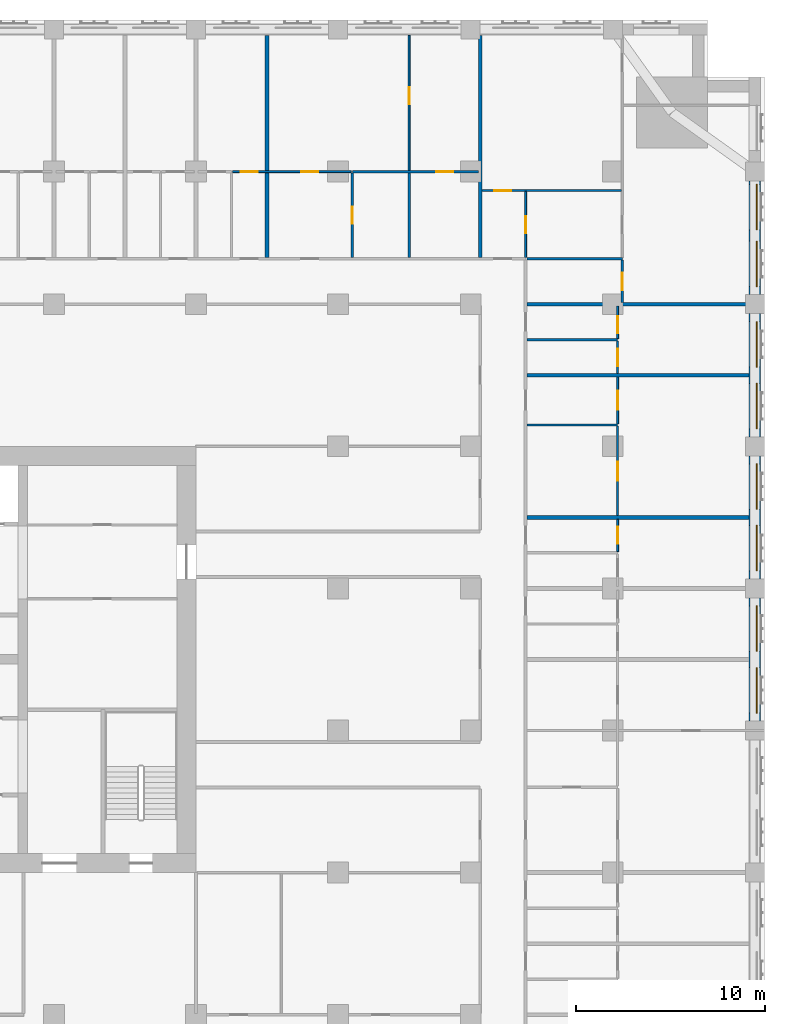
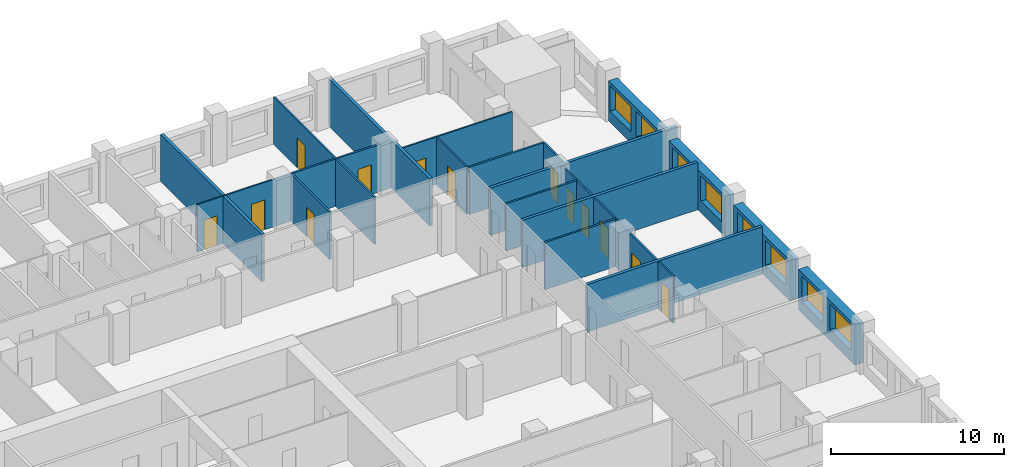
# One storey, part 11 of 15: 25 walls, 13 doors, 8 windows, 21 openings.
"""IFC4 building model written with IfcOpenShell, lengths in metres."""

from ifc_helpers import new_model, si_unit, direction, frame, frame_2d, origin, place, context, subcontext, project, spatial, rectangle, extrude, material, layer, layer_set, type_object, element, fill, save


model = new_model("IFC4")

# Units and contexts
model_context = context("Model", 3, precision=1e-05, world=origin(), true_north=direction((0.0, 1.0)))
body_context = subcontext(model_context, "Body", "Model", "MODEL_VIEW")
ifc_project = project(units=[si_unit("LENGTHUNIT", "METRE"), si_unit("AREAUNIT", "SQUARE_METRE"), si_unit("VOLUMEUNIT", "CUBIC_METRE"), si_unit("PLANEANGLEUNIT", "RADIAN"), si_unit("MASSUNIT", "GRAM", prefix="KILO")], contexts=[model_context])

# Site, building, storey
site_placement = place(None, origin())
site = spatial("IfcSite", under=ifc_project, at=site_placement, CompositionType="ELEMENT")
building_placement = place(site_placement, origin())
building = spatial("IfcBuilding", under=site, at=building_placement, Name="Tamorin Gate", CompositionType="ELEMENT")
storey_placement = place(building_placement, frame((0.0, 0.0, 111.5)))
storey = spatial("IfcBuildingStorey", under=building, at=storey_placement, Name="L27", CompositionType="ELEMENT", Elevation=111.5)

# Wall, openings, windows
ifc_material_1 = material(Name="Precast concrete C40/50", Category="concrete")
ifc_layer_1 = layer(ifc_material_1, 0.60009765625)
ifc_layer_set_1 = layer_set([ifc_layer_1], Name="Precast concrete C40/50")
wall_type_1 = type_object("IfcWallType", Name="Board-marked concrete facade panel 600", PredefinedType="SOLIDWALL", material=ifc_layer_set_1)
wall_1_placement = place(storey_placement, frame((89.5, 68.0, 0.0), z_axis=(0.0, 0.0, 1.0), x_axis=(0.0, 1.0, 0.0)))
wall_1 = element("IfcWall", 1, at=wall_1_placement, inside=storey, type_object=wall_type_1, Name="Facade panel", PredefinedType="SOLIDWALL", context=body_context, shape_type="SweptSolid", body=[
    extrude(rectangle(XDim=6.5, YDim=0.60009765625, at=frame_2d((3.25, 0.0))), origin(), (0.0, 0.0, 1.0), 2.85009765625),
])
opening_1_placement = place(wall_1_placement, frame((0.425048828125, 0.0, 0.800048828125)))
opening_1 = element("IfcOpeningElement", 2, at=opening_1_placement, cuts=wall_1, Name="Opening WN1", PredefinedType="OPENING", context=body_context, shape_type="SweptSolid", body=[
    extrude(rectangle(XDim=2.39990234375, YDim=1.800048828125, at=frame_2d((1.199951171875, 0.89990234375))), frame((0.0, 0.31005859375, 0.0), z_axis=(0.0, -1.0, 0.0), x_axis=(1.0, 0.0, 0.0)), (0.0, 0.0, 1.0), 0.6201171875),
])
opening_2_placement = place(wall_1_placement, frame((3.675048828125, 0.0, 0.800048828125)))
opening_2 = element("IfcOpeningElement", 3, at=opening_2_placement, cuts=wall_1, Name="Opening WN1", PredefinedType="OPENING", context=body_context, shape_type="SweptSolid", body=[
    extrude(rectangle(XDim=2.39990234375, YDim=1.800048828125, at=frame_2d((1.199951171875, 0.89990234375))), frame((0.0, 0.31005859375, 0.0), z_axis=(0.0, -1.0, 0.0), x_axis=(1.0, 0.0, 0.0)), (0.0, 0.0, 1.0), 0.6201171875),
])
ifc_material_2 = material(Name="Clear glass in aluminium frame", Category="aluminium")
window_type = type_object("IfcWindowType", Name="Deep-set window 2400x1800", PartitioningType="SINGLE_PANEL", PredefinedType="WINDOW", material=ifc_material_2)
window_1_placement = place(opening_1_placement, origin())
window_1 = element("IfcWindow", 4, at=window_1_placement, inside=storey, type_object=window_type, Name="Deep-set window", OverallHeight=1.800048828125, OverallWidth=2.39990234375, PartitioningType="SINGLE_PANEL", PredefinedType="WINDOW", context=body_context, shape_type="SweptSolid", body=[
    extrude(rectangle(XDim=2.39990234375, YDim=1.800048828125, at=frame_2d((1.199951171875, 0.89990234375))), frame((0.0, -0.070068359375, 0.0), z_axis=(0.0, -1.0, 0.0), x_axis=(1.0, 0.0, 0.0)), (0.0, 0.0, 1.0), 0.06005859375),
])
fill(opening_1, window_1)
window_2_placement = place(opening_2_placement, origin())
window_2 = element("IfcWindow", 5, at=window_2_placement, inside=storey, type_object=window_type, Name="Deep-set window", OverallHeight=1.800048828125, OverallWidth=2.39990234375, PartitioningType="SINGLE_PANEL", PredefinedType="WINDOW", context=body_context, shape_type="SweptSolid", body=[
    extrude(rectangle(XDim=2.39990234375, YDim=1.800048828125, at=frame_2d((1.199951171875, 0.89990234375))), frame((0.0, -0.070068359375, 0.0), z_axis=(0.0, -1.0, 0.0), x_axis=(1.0, 0.0, 0.0)), (0.0, 0.0, 1.0), 0.06005859375),
])
fill(opening_2, window_2)

wall_2_placement = place(storey_placement, frame((89.5, 75.5, 0.0), z_axis=(0.0, 0.0, 1.0), x_axis=(0.0, 1.0, 0.0)))
wall_2 = element("IfcWall", 6, at=wall_2_placement, inside=storey, type_object=wall_type_1, Name="Facade panel", PredefinedType="SOLIDWALL", context=body_context, shape_type="SweptSolid", body=[
    extrude(rectangle(XDim=6.5, YDim=0.60009765625, at=frame_2d((3.25, 0.0))), origin(), (0.0, 0.0, 1.0), 2.85009765625),
])
opening_3_placement = place(wall_2_placement, frame((0.425048828125, 0.0, 0.800048828125)))
opening_3 = element("IfcOpeningElement", 7, at=opening_3_placement, cuts=wall_2, Name="Opening WN1", PredefinedType="OPENING", context=body_context, shape_type="SweptSolid", body=[
    extrude(rectangle(XDim=2.39990234375, YDim=1.800048828125, at=frame_2d((1.199951171875, 0.89990234375))), frame((0.0, 0.31005859375, 0.0), z_axis=(0.0, -1.0, 0.0), x_axis=(1.0, 0.0, 0.0)), (0.0, 0.0, 1.0), 0.6201171875),
])
opening_4_placement = place(wall_2_placement, frame((3.675048828125, 0.0, 0.800048828125)))
opening_4 = element("IfcOpeningElement", 8, at=opening_4_placement, cuts=wall_2, Name="Opening WN1", PredefinedType="OPENING", context=body_context, shape_type="SweptSolid", body=[
    extrude(rectangle(XDim=2.39990234375, YDim=1.800048828125, at=frame_2d((1.199951171875, 0.89990234375))), frame((0.0, 0.31005859375, 0.0), z_axis=(0.0, -1.0, 0.0), x_axis=(1.0, 0.0, 0.0)), (0.0, 0.0, 1.0), 0.6201171875),
])
window_3_placement = place(opening_3_placement, origin())
window_3 = element("IfcWindow", 9, at=window_3_placement, inside=storey, type_object=window_type, Name="Deep-set window", OverallHeight=1.800048828125, OverallWidth=2.39990234375, PartitioningType="SINGLE_PANEL", PredefinedType="WINDOW", context=body_context, shape_type="SweptSolid", body=[
    extrude(rectangle(XDim=2.39990234375, YDim=1.800048828125, at=frame_2d((1.199951171875, 0.89990234375))), frame((0.0, -0.070068359375, 0.0), z_axis=(0.0, -1.0, 0.0), x_axis=(1.0, 0.0, 0.0)), (0.0, 0.0, 1.0), 0.06005859375),
])
fill(opening_3, window_3)
window_4_placement = place(opening_4_placement, origin())
window_4 = element("IfcWindow", 10, at=window_4_placement, inside=storey, type_object=window_type, Name="Deep-set window", OverallHeight=1.800048828125, OverallWidth=2.39990234375, PartitioningType="SINGLE_PANEL", PredefinedType="WINDOW", context=body_context, shape_type="SweptSolid", body=[
    extrude(rectangle(XDim=2.39990234375, YDim=1.800048828125, at=frame_2d((1.199951171875, 0.89990234375))), frame((0.0, -0.070068359375, 0.0), z_axis=(0.0, -1.0, 0.0), x_axis=(1.0, 0.0, 0.0)), (0.0, 0.0, 1.0), 0.06005859375),
])
fill(opening_4, window_4)

wall_3_placement = place(storey_placement, frame((89.5, 83.0, 0.0), z_axis=(0.0, 0.0, 1.0), x_axis=(0.0, 1.0, 0.0)))
wall_3 = element("IfcWall", 11, at=wall_3_placement, inside=storey, type_object=wall_type_1, Name="Facade panel", PredefinedType="SOLIDWALL", context=body_context, shape_type="SweptSolid", body=[
    extrude(rectangle(XDim=6.5, YDim=0.60009765625, at=frame_2d((3.25, 0.0))), origin(), (0.0, 0.0, 1.0), 2.85009765625),
])
opening_5_placement = place(wall_3_placement, frame((0.425048828125, 0.0, 0.800048828125)))
opening_5 = element("IfcOpeningElement", 12, at=opening_5_placement, cuts=wall_3, Name="Opening WN1", PredefinedType="OPENING", context=body_context, shape_type="SweptSolid", body=[
    extrude(rectangle(XDim=2.39990234375, YDim=1.800048828125, at=frame_2d((1.199951171875, 0.89990234375))), frame((0.0, 0.31005859375, 0.0), z_axis=(0.0, -1.0, 0.0), x_axis=(1.0, 0.0, 0.0)), (0.0, 0.0, 1.0), 0.6201171875),
])
opening_6_placement = place(wall_3_placement, frame((3.675048828125, 0.0, 0.800048828125)))
opening_6 = element("IfcOpeningElement", 13, at=opening_6_placement, cuts=wall_3, Name="Opening WN1", PredefinedType="OPENING", context=body_context, shape_type="SweptSolid", body=[
    extrude(rectangle(XDim=2.39990234375, YDim=1.800048828125, at=frame_2d((1.199951171875, 0.89990234375))), frame((0.0, 0.31005859375, 0.0), z_axis=(0.0, -1.0, 0.0), x_axis=(1.0, 0.0, 0.0)), (0.0, 0.0, 1.0), 0.6201171875),
])
window_5_placement = place(opening_5_placement, origin())
window_5 = element("IfcWindow", 14, at=window_5_placement, inside=storey, type_object=window_type, Name="Deep-set window", OverallHeight=1.800048828125, OverallWidth=2.39990234375, PartitioningType="SINGLE_PANEL", PredefinedType="WINDOW", context=body_context, shape_type="SweptSolid", body=[
    extrude(rectangle(XDim=2.39990234375, YDim=1.800048828125, at=frame_2d((1.199951171875, 0.89990234375))), frame((0.0, -0.070068359375, 0.0), z_axis=(0.0, -1.0, 0.0), x_axis=(1.0, 0.0, 0.0)), (0.0, 0.0, 1.0), 0.06005859375),
])
fill(opening_5, window_5)
window_6_placement = place(opening_6_placement, origin())
window_6 = element("IfcWindow", 15, at=window_6_placement, inside=storey, type_object=window_type, Name="Deep-set window", OverallHeight=1.800048828125, OverallWidth=2.39990234375, PartitioningType="SINGLE_PANEL", PredefinedType="WINDOW", context=body_context, shape_type="SweptSolid", body=[
    extrude(rectangle(XDim=2.39990234375, YDim=1.800048828125, at=frame_2d((1.199951171875, 0.89990234375))), frame((0.0, -0.070068359375, 0.0), z_axis=(0.0, -1.0, 0.0), x_axis=(1.0, 0.0, 0.0)), (0.0, 0.0, 1.0), 0.06005859375),
])
fill(opening_6, window_6)

wall_4_placement = place(storey_placement, frame((89.5, 90.5, 0.0), z_axis=(0.0, 0.0, 1.0), x_axis=(0.0, 1.0, 0.0)))
wall_4 = element("IfcWall", 16, at=wall_4_placement, inside=storey, type_object=wall_type_1, Name="Facade panel", PredefinedType="SOLIDWALL", context=body_context, shape_type="SweptSolid", body=[
    extrude(rectangle(XDim=6.0, YDim=0.60009765625, at=frame_2d((3.0, 0.0))), origin(), (0.0, 0.0, 1.0), 2.85009765625),
])
opening_7_placement = place(wall_4_placement, frame((0.425048828125, 0.0, 0.800048828125)))
opening_7 = element("IfcOpeningElement", 17, at=opening_7_placement, cuts=wall_4, Name="Opening WN1", PredefinedType="OPENING", context=body_context, shape_type="SweptSolid", body=[
    extrude(rectangle(XDim=2.39990234375, YDim=1.800048828125, at=frame_2d((1.199951171875, 0.89990234375))), frame((0.0, 0.31005859375, 0.0), z_axis=(0.0, -1.0, 0.0), x_axis=(1.0, 0.0, 0.0)), (0.0, 0.0, 1.0), 0.6201171875),
])
opening_8_placement = place(wall_4_placement, frame((3.425048828125, 0.0, 0.800048828125)))
opening_8 = element("IfcOpeningElement", 18, at=opening_8_placement, cuts=wall_4, Name="Opening WN1", PredefinedType="OPENING", context=body_context, shape_type="SweptSolid", body=[
    extrude(rectangle(XDim=2.39990234375, YDim=1.800048828125, at=frame_2d((1.199951171875, 0.89990234375))), frame((0.0, 0.31005859375, 0.0), z_axis=(0.0, -1.0, 0.0), x_axis=(1.0, 0.0, 0.0)), (0.0, 0.0, 1.0), 0.6201171875),
])
window_7_placement = place(opening_7_placement, origin())
window_7 = element("IfcWindow", 19, at=window_7_placement, inside=storey, type_object=window_type, Name="Deep-set window", OverallHeight=1.800048828125, OverallWidth=2.39990234375, PartitioningType="SINGLE_PANEL", PredefinedType="WINDOW", context=body_context, shape_type="SweptSolid", body=[
    extrude(rectangle(XDim=2.39990234375, YDim=1.800048828125, at=frame_2d((1.199951171875, 0.89990234375))), frame((0.0, -0.070068359375, 0.0), z_axis=(0.0, -1.0, 0.0), x_axis=(1.0, 0.0, 0.0)), (0.0, 0.0, 1.0), 0.06005859375),
])
fill(opening_7, window_7)
window_8_placement = place(opening_8_placement, origin())
window_8 = element("IfcWindow", 20, at=window_8_placement, inside=storey, type_object=window_type, Name="Deep-set window", OverallHeight=1.800048828125, OverallWidth=2.39990234375, PartitioningType="SINGLE_PANEL", PredefinedType="WINDOW", context=body_context, shape_type="SweptSolid", body=[
    extrude(rectangle(XDim=2.39990234375, YDim=1.800048828125, at=frame_2d((1.199951171875, 0.89990234375))), frame((0.0, -0.070068359375, 0.0), z_axis=(0.0, -1.0, 0.0), x_axis=(1.0, 0.0, 0.0)), (0.0, 0.0, 1.0), 0.06005859375),
])
fill(opening_8, window_8)

# Walls
ifc_material_3 = material(Name="Gypsum board partition")
ifc_layer_2 = layer(ifc_material_3, 0.199951171875)
ifc_layer_set_2 = layer_set([ifc_layer_2], Name="Demising wall 200")
wall_type_2 = type_object("IfcWallType", Name="Demising wall 200", PredefinedType="PARTITIONING", material=ifc_layer_set_2)
for number, where, z_axis, x_axis, name in (
    (21, (77.47509765625, 78.75, 0.0), (0.0, 0.0, 1.0), (1.0, 0.0, 0.0), "Demising wall 200"),
    (22, (77.47509765625, 86.25, 0.0), (0.0, 0.0, 1.0), (1.0, 0.0, 0.0), "Demising wall 200"),
):
    element("IfcWall", number, at=place(storey_placement, frame(where, z_axis=z_axis, x_axis=x_axis)), inside=storey, type_object=wall_type_2, Name=name, PredefinedType="PARTITIONING", context=body_context, shape_type="SweptSolid", body=[
        extrude(rectangle(XDim=11.71484375, YDim=0.199951171875, at=frame_2d((5.857421875, 0.0))), origin(), (0.0, 0.0, 1.0), 3.35009765625),
    ])
wall_5_placement = place(storey_placement, frame((77.47509765625, 90.0, 0.0), z_axis=(0.0, 0.0, 1.0), x_axis=(1.0, 0.0, 0.0)))
element("IfcWall", 23, at=wall_5_placement, inside=storey, type_object=wall_type_2, Name="Demising wall 200", PredefinedType="PARTITIONING", context=body_context, shape_type="SweptSolid", body=[
    extrude(rectangle(XDim=12.52490234375, YDim=0.199951171875, at=frame_2d((6.262451171875, 0.0))), origin(), (0.0, 0.0, 1.0), 3.35009765625),
])
for number, where, z_axis, x_axis, name in (
    (24, (63.75, 92.47509765625, 0.0), (0.0, 0.0, 1.0), (0.0, 1.0, 0.0), "Demising wall 200"),
    (25, (75.0, 92.47509765625, 0.0), (0.0, 0.0, 1.0), (0.0, 1.0, 0.0), "Demising wall 200"),
):
    element("IfcWall", number, at=place(storey_placement, frame(where, z_axis=z_axis, x_axis=x_axis)), inside=storey, type_object=wall_type_2, Name=name, PredefinedType="PARTITIONING", context=body_context, shape_type="SweptSolid", body=[
        extrude(rectangle(XDim=11.71484375, YDim=0.199951171875, at=frame_2d((5.857421875, 0.0))), origin(), (0.0, 0.0, 1.0), 3.35009765625),
    ])

# Wall, opening, door
ifc_layer_3 = layer(ifc_material_3, 0.10009765625)
ifc_layer_set_3 = layer_set([ifc_layer_3], Name="Room partition 100")
wall_type_3 = type_object("IfcWallType", Name="Room partition 100", PredefinedType="PARTITIONING", material=ifc_layer_set_3)
wall_6_placement = place(storey_placement, frame((75.10009765625, 96.0, 0.0), z_axis=(0.0, 0.0, 1.0), x_axis=(1.0, 0.0, 0.0)))
wall_6 = element("IfcWall", 26, at=wall_6_placement, inside=storey, type_object=wall_type_3, Name="Room partition 100", PredefinedType="PARTITIONING", context=body_context, shape_type="SweptSolid", body=[
    extrude(rectangle(XDim=7.349853515625, YDim=0.10009765625, at=frame_2d((3.6748046875, 0.0))), origin(), (0.0, 0.0, 1.0), 3.35009765625),
])
opening_9_placement = place(wall_6_placement, frame((0.64990234375, 0.0, 0.0)))
opening_9 = element("IfcOpeningElement", 27, at=opening_9_placement, cuts=wall_6, Name="Opening DH6081", PredefinedType="OPENING", context=body_context, shape_type="SweptSolid", body=[
    extrude(rectangle(XDim=0.89990234375, YDim=2.10009765625, at=frame_2d((0.449951171875, 1.050048828125))), frame((0.0, 0.06005859375, 0.0), z_axis=(0.0, -1.0, 0.0), x_axis=(1.0, 0.0, 0.0)), (0.0, 0.0, 1.0), 0.1201171875),
])
ifc_material_4 = material(Name="Timber door leaf", Category="wood")
door_type_1 = type_object("IfcDoorType", Name="Door 900 x 2100", OperationType="NOTDEFINED", PredefinedType="DOOR", material=ifc_material_4)
door_1_placement = place(opening_9_placement, origin())
door_1 = element("IfcDoor", 28, at=door_1_placement, inside=storey, type_object=door_type_1, Name="Door DH6081", OperationType="SINGLE_SWING_LEFT", OverallHeight=2.10009765625, OverallWidth=0.89990234375, PredefinedType="DOOR", context=body_context, shape_type="SweptSolid", body=[
    extrude(rectangle(XDim=0.89990234375, YDim=2.10009765625, at=frame_2d((0.449951171875, 1.050048828125))), frame((0.0, 0.02490234375, 0.0), z_axis=(0.0, -1.0, 0.0), x_axis=(1.0, 0.0, 0.0)), (0.0, 0.0, 1.0), 0.050048828125),
])
fill(opening_9, door_1)

# Wall, openings, doors
wall_7_placement = place(storey_placement, frame((61.9375, 97.0, 0.0), z_axis=(0.0, 0.0, 1.0), x_axis=(1.0, 0.0, 0.0)))
wall_7 = element("IfcWall", 29, at=wall_7_placement, inside=storey, type_object=wall_type_3, Name="Room partition 100", PredefinedType="PARTITIONING", context=body_context, shape_type="SweptSolid", body=[
    extrude(rectangle(XDim=6.25, YDim=0.10009765625, at=frame_2d((3.125, 0.0))), origin(), (0.0, 0.0, 1.0), 3.35009765625),
])
opening_10_placement = place(wall_7_placement, frame((0.425048828125, 0.0, 0.0)))
opening_10 = element("IfcOpeningElement", 30, at=opening_10_placement, cuts=wall_7, Name="Opening DH6045", PredefinedType="OPENING", context=body_context, shape_type="SweptSolid", body=[
    extrude(rectangle(XDim=0.89990234375, YDim=2.10009765625, at=frame_2d((0.449951171875, 1.050048828125))), frame((0.0, 0.06005859375, 0.0), z_axis=(0.0, -1.0, 0.0), x_axis=(1.0, 0.0, 0.0)), (0.0, 0.0, 1.0), 0.1201171875),
])
opening_11_placement = place(wall_7_placement, frame((3.612548828125, 0.0, 0.0)))
opening_11 = element("IfcOpeningElement", 31, at=opening_11_placement, cuts=wall_7, Name="Opening DH6047", PredefinedType="OPENING", context=body_context, shape_type="SweptSolid", body=[
    extrude(rectangle(XDim=0.89990234375, YDim=2.10009765625, at=frame_2d((0.449951171875, 1.050048828125))), frame((0.0, 0.06005859375, 0.0), z_axis=(0.0, -1.0, 0.0), x_axis=(1.0, 0.0, 0.0)), (0.0, 0.0, 1.0), 0.1201171875),
])
door_2_placement = place(opening_10_placement, origin())
door_2 = element("IfcDoor", 32, at=door_2_placement, inside=storey, type_object=door_type_1, Name="Door DH6045", OperationType="SINGLE_SWING_RIGHT", OverallHeight=2.10009765625, OverallWidth=0.89990234375, PredefinedType="DOOR", context=body_context, shape_type="SweptSolid", body=[
    extrude(rectangle(XDim=0.89990234375, YDim=2.10009765625, at=frame_2d((0.449951171875, 1.050048828125))), frame((0.0, 0.02490234375, 0.0), z_axis=(0.0, -1.0, 0.0), x_axis=(1.0, 0.0, 0.0)), (0.0, 0.0, 1.0), 0.050048828125),
])
fill(opening_10, door_2)
door_3_placement = place(opening_11_placement, origin())
door_3 = element("IfcDoor", 33, at=door_3_placement, inside=storey, type_object=door_type_1, Name="Door DH6047", OperationType="SINGLE_SWING_RIGHT", OverallHeight=2.10009765625, OverallWidth=0.89990234375, PredefinedType="DOOR", context=body_context, shape_type="SweptSolid", body=[
    extrude(rectangle(XDim=0.89990234375, YDim=2.10009765625, at=frame_2d((0.449951171875, 1.050048828125))), frame((0.0, 0.02490234375, 0.0), z_axis=(0.0, -1.0, 0.0), x_axis=(1.0, 0.0, 0.0)), (0.0, 0.0, 1.0), 0.050048828125),
])
fill(opening_11, door_3)

# Wall, opening, door
wall_8_placement = place(storey_placement, frame((71.25, 97.0625, 0.0), z_axis=(0.0, 0.0, 1.0), x_axis=(0.0, 1.0, 0.0)))
wall_8 = element("IfcWall", 34, at=wall_8_placement, inside=storey, type_object=wall_type_3, Name="Room partition 100", PredefinedType="PARTITIONING", context=body_context, shape_type="SweptSolid", body=[
    extrude(rectangle(XDim=7.12744140625, YDim=0.10009765625, at=frame_2d((3.563720703125, 0.0))), origin(), (0.0, 0.0, 1.0), 3.35009765625),
])
opening_12_placement = place(wall_8_placement, frame((3.487548828125, 0.0, 0.0)))
opening_12 = element("IfcOpeningElement", 35, at=opening_12_placement, cuts=wall_8, Name="Opening DH6050", PredefinedType="OPENING", context=body_context, shape_type="SweptSolid", body=[
    extrude(rectangle(XDim=0.89990234375, YDim=2.10009765625, at=frame_2d((0.449951171875, 1.050048828125))), frame((0.0, 0.06005859375, 0.0), z_axis=(0.0, -1.0, 0.0), x_axis=(1.0, 0.0, 0.0)), (0.0, 0.0, 1.0), 0.1201171875),
])
door_4_placement = place(opening_12_placement, origin())
door_4 = element("IfcDoor", 36, at=door_4_placement, inside=storey, type_object=door_type_1, Name="Door DH6050", OperationType="SINGLE_SWING_LEFT", OverallHeight=2.10009765625, OverallWidth=0.89990234375, PredefinedType="DOOR", context=body_context, shape_type="SweptSolid", body=[
    extrude(rectangle(XDim=0.89990234375, YDim=2.10009765625, at=frame_2d((0.449951171875, 1.050048828125))), frame((0.0, 0.02490234375, 0.0), z_axis=(0.0, -1.0, 0.0), x_axis=(1.0, 0.0, 0.0)), (0.0, 0.0, 1.0), 0.050048828125),
])
fill(opening_12, door_4)

wall_9_placement = place(storey_placement, frame((77.39990234375, 92.47509765625, 0.0), z_axis=(0.0, 0.0, 1.0), x_axis=(0.0, 1.0, 0.0)))
wall_9 = element("IfcWall", 37, at=wall_9_placement, inside=storey, type_object=wall_type_3, Name="Room partition 100", PredefinedType="PARTITIONING", context=body_context, shape_type="SweptSolid", body=[
    extrude(rectangle(XDim=3.474853515625, YDim=0.10009765625, at=frame_2d((1.7373046875, 0.0))), origin(), (0.0, 0.0, 1.0), 3.35009765625),
])
opening_13_placement = place(wall_9_placement, frame((1.27490234375, 0.0, 0.0)))
opening_13 = element("IfcOpeningElement", 38, at=opening_13_placement, cuts=wall_9, Name="Opening DH6082", PredefinedType="OPENING", context=body_context, shape_type="SweptSolid", body=[
    extrude(rectangle(XDim=0.89990234375, YDim=2.10009765625, at=frame_2d((0.449951171875, 1.050048828125))), frame((0.0, 0.06005859375, 0.0), z_axis=(0.0, -1.0, 0.0), x_axis=(1.0, 0.0, 0.0)), (0.0, 0.0, 1.0), 0.1201171875),
])
door_5_placement = place(opening_13_placement, origin())
door_5 = element("IfcDoor", 39, at=door_5_placement, inside=storey, type_object=door_type_1, Name="Door DH6082", OperationType="SINGLE_SWING_RIGHT", OverallHeight=2.10009765625, OverallWidth=0.89990234375, PredefinedType="DOOR", context=body_context, shape_type="SweptSolid", body=[
    extrude(rectangle(XDim=0.89990234375, YDim=2.10009765625, at=frame_2d((0.449951171875, 1.050048828125))), frame((0.0, 0.02490234375, 0.0), z_axis=(0.0, -1.0, 0.0), x_axis=(1.0, 0.0, 0.0)), (0.0, 0.0, 1.0), 0.050048828125),
])
fill(opening_13, door_5)

wall_10_placement = place(storey_placement, frame((82.25, 76.9375, 0.0), z_axis=(0.0, 0.0, 1.0), x_axis=(0.0, 1.0, 0.0)))
wall_10 = element("IfcWall", 40, at=wall_10_placement, inside=storey, type_object=wall_type_3, Name="Room partition 100", PredefinedType="PARTITIONING", context=body_context, shape_type="SweptSolid", body=[
    extrude(rectangle(XDim=1.71240234375, YDim=0.10009765625, at=frame_2d((0.856201171875, 0.0))), origin(), (0.0, 0.0, 1.0), 3.35009765625),
])
opening_14_placement = place(wall_10_placement, frame((0.425048828125, 0.0, 0.0)))
opening_14 = element("IfcOpeningElement", 41, at=opening_14_placement, cuts=wall_10, Name="Opening DH6067", PredefinedType="OPENING", context=body_context, shape_type="SweptSolid", body=[
    extrude(rectangle(XDim=0.89990234375, YDim=2.10009765625, at=frame_2d((0.449951171875, 1.050048828125))), frame((0.0, 0.06005859375, 0.0), z_axis=(0.0, -1.0, 0.0), x_axis=(1.0, 0.0, 0.0)), (0.0, 0.0, 1.0), 0.1201171875),
])
door_6_placement = place(opening_14_placement, origin())
door_6 = element("IfcDoor", 42, at=door_6_placement, inside=storey, type_object=door_type_1, Name="Door DH6067", OperationType="SINGLE_SWING_LEFT", OverallHeight=2.10009765625, OverallWidth=0.89990234375, PredefinedType="DOOR", context=body_context, shape_type="SweptSolid", body=[
    extrude(rectangle(XDim=0.89990234375, YDim=2.10009765625, at=frame_2d((0.449951171875, 1.050048828125))), frame((0.0, 0.02490234375, 0.0), z_axis=(0.0, -1.0, 0.0), x_axis=(1.0, 0.0, 0.0)), (0.0, 0.0, 1.0), 0.050048828125),
])
fill(opening_14, door_6)

wall_11_placement = place(storey_placement, frame((82.25, 83.6875, 0.0), z_axis=(0.0, 0.0, 1.0), x_axis=(0.0, 1.0, 0.0)))
wall_11 = element("IfcWall", 43, at=wall_11_placement, inside=storey, type_object=wall_type_3, Name="Room partition 100", PredefinedType="PARTITIONING", context=body_context, shape_type="SweptSolid", body=[
    extrude(rectangle(XDim=2.46240234375, YDim=0.10009765625, at=frame_2d((1.231201171875, 0.0))), origin(), (0.0, 0.0, 1.0), 3.35009765625),
])
opening_15_placement = place(wall_11_placement, frame((0.75, 0.0, 0.0)))
opening_15 = element("IfcOpeningElement", 44, at=opening_15_placement, cuts=wall_11, Name="Opening DH6070", PredefinedType="OPENING", context=body_context, shape_type="SweptSolid", body=[
    extrude(rectangle(XDim=1.0, YDim=2.10009765625, at=frame_2d((0.5, 1.050048828125))), frame((0.0, 0.06005859375, 0.0), z_axis=(0.0, -1.0, 0.0), x_axis=(1.0, 0.0, 0.0)), (0.0, 0.0, 1.0), 0.1201171875),
])
door_type_2 = type_object("IfcDoorType", Name="Door 1000 x 2100", OperationType="NOTDEFINED", PredefinedType="DOOR", material=ifc_material_4)
door_7_placement = place(opening_15_placement, origin())
door_7 = element("IfcDoor", 45, at=door_7_placement, inside=storey, type_object=door_type_2, Name="Door DH6070", OperationType="SINGLE_SWING_LEFT", OverallHeight=2.10009765625, OverallWidth=1.0, PredefinedType="DOOR", context=body_context, shape_type="SweptSolid", body=[
    extrude(rectangle(XDim=1.0, YDim=2.10009765625, at=frame_2d((0.5, 1.050048828125))), frame((0.0, 0.02490234375, 0.0), z_axis=(0.0, -1.0, 0.0), x_axis=(1.0, 0.0, 0.0)), (0.0, 0.0, 1.0), 0.050048828125),
])
fill(opening_15, door_7)

wall_12_placement = place(storey_placement, frame((82.25, 88.1875, 0.0), z_axis=(0.0, 0.0, 1.0), x_axis=(0.0, 1.0, 0.0)))
wall_12 = element("IfcWall", 46, at=wall_12_placement, inside=storey, type_object=wall_type_3, Name="Room partition 100", PredefinedType="PARTITIONING", context=body_context, shape_type="SweptSolid", body=[
    extrude(rectangle(XDim=1.71240234375, YDim=0.10009765625, at=frame_2d((0.856201171875, 0.0))), origin(), (0.0, 0.0, 1.0), 3.35009765625),
])
opening_16_placement = place(wall_12_placement, frame((0.27490234375, 0.0, 0.0)))
opening_16 = element("IfcOpeningElement", 47, at=opening_16_placement, cuts=wall_12, Name="Opening DH6073", PredefinedType="OPENING", context=body_context, shape_type="SweptSolid", body=[
    extrude(rectangle(XDim=0.89990234375, YDim=2.10009765625, at=frame_2d((0.449951171875, 1.050048828125))), frame((0.0, 0.06005859375, 0.0), z_axis=(0.0, -1.0, 0.0), x_axis=(1.0, 0.0, 0.0)), (0.0, 0.0, 1.0), 0.1201171875),
])
door_8_placement = place(opening_16_placement, origin())
door_8 = element("IfcDoor", 48, at=door_8_placement, inside=storey, type_object=door_type_1, Name="Door DH6073", OperationType="SINGLE_SWING_LEFT", OverallHeight=2.10009765625, OverallWidth=0.89990234375, PredefinedType="DOOR", context=body_context, shape_type="SweptSolid", body=[
    extrude(rectangle(XDim=0.89990234375, YDim=2.10009765625, at=frame_2d((0.449951171875, 1.050048828125))), frame((0.0, 0.02490234375, 0.0), z_axis=(0.0, -1.0, 0.0), x_axis=(1.0, 0.0, 0.0)), (0.0, 0.0, 1.0), 0.050048828125),
])
fill(opening_16, door_8)

# Walls
ifc_layer_4 = layer(ifc_material_3, 0.125)
ifc_layer_set_4 = layer_set([ifc_layer_4], Name="Wet wall 125")
wall_type_4 = type_object("IfcWallType", Name="Wet wall 125", PredefinedType="PARTITIONING", material=ifc_layer_set_4)
for number, where, z_axis, x_axis, name in (
    (49, (77.47509765625, 83.625, 0.0), (0.0, 0.0, 1.0), (1.0, 0.0, 0.0), "Wet wall 125"),
    (50, (77.47509765625, 88.125, 0.0), (0.0, 0.0, 1.0), (1.0, 0.0, 0.0), "Wet wall 125"),
):
    element("IfcWall", number, at=place(storey_placement, frame(where, z_axis=z_axis, x_axis=x_axis)), inside=storey, type_object=wall_type_4, Name=name, PredefinedType="PARTITIONING", context=body_context, shape_type="SweptSolid", body=[
        extrude(rectangle(XDim=4.77490234375, YDim=0.125, at=frame_2d((2.387451171875, 0.0))), origin(), (0.0, 0.0, 1.0), 3.35009765625),
    ])
wall_13_placement = place(storey_placement, frame((77.47509765625, 92.39990234375, 0.0), z_axis=(0.0, 0.0, 1.0), x_axis=(1.0, 0.0, 0.0)))
element("IfcWall", 51, at=wall_13_placement, inside=storey, type_object=wall_type_4, Name="Wet wall 125", PredefinedType="PARTITIONING", context=body_context, shape_type="SweptSolid", body=[
    extrude(rectangle(XDim=5.02490234375, YDim=0.125, at=frame_2d((2.512451171875, 0.0))), origin(), (0.0, 0.0, 1.0), 3.35009765625),
])

# Wall, opening, door
wall_14_placement = place(storey_placement, frame((68.25, 97.0, 0.0), z_axis=(0.0, 0.0, 1.0), x_axis=(1.0, 0.0, 0.0)))
wall_14 = element("IfcWall", 52, at=wall_14_placement, inside=storey, type_object=wall_type_4, Name="Wet wall 125", PredefinedType="PARTITIONING", context=body_context, shape_type="SweptSolid", body=[
    extrude(rectangle(XDim=6.64990234375, YDim=0.125, at=frame_2d((3.324951171875, 0.0))), origin(), (0.0, 0.0, 1.0), 3.35009765625),
])
opening_17_placement = place(wall_14_placement, frame((4.425048828125, 0.0, 0.0)))
opening_17 = element("IfcOpeningElement", 53, at=opening_17_placement, cuts=wall_14, Name="Opening DH6049", PredefinedType="OPENING", context=body_context, shape_type="SweptSolid", body=[
    extrude(rectangle(XDim=0.89990234375, YDim=2.10009765625, at=frame_2d((0.449951171875, 1.050048828125))), frame((0.0, 0.072509765625, 0.0), z_axis=(0.0, -1.0, 0.0), x_axis=(1.0, 0.0, 0.0)), (0.0, 0.0, 1.0), 0.14501953125),
])
door_9_placement = place(opening_17_placement, origin())
door_9 = element("IfcDoor", 54, at=door_9_placement, inside=storey, type_object=door_type_1, Name="Door DH6049", OperationType="SINGLE_SWING_RIGHT", OverallHeight=2.10009765625, OverallWidth=0.89990234375, PredefinedType="DOOR", context=body_context, shape_type="SweptSolid", body=[
    extrude(rectangle(XDim=0.89990234375, YDim=2.10009765625, at=frame_2d((0.449951171875, 1.050048828125))), frame((0.0, 0.02490234375, 0.0), z_axis=(0.0, -1.0, 0.0), x_axis=(1.0, 0.0, 0.0)), (0.0, 0.0, 1.0), 0.050048828125),
])
fill(opening_17, door_9)

wall_15_placement = place(storey_placement, frame((68.25, 92.47509765625, 0.0), z_axis=(0.0, 0.0, 1.0), x_axis=(0.0, 1.0, 0.0)))
wall_15 = element("IfcWall", 55, at=wall_15_placement, inside=storey, type_object=wall_type_4, Name="Wet wall 125", PredefinedType="PARTITIONING", context=body_context, shape_type="SweptSolid", body=[
    extrude(rectangle(XDim=4.46240234375, YDim=0.125, at=frame_2d((2.231201171875, 0.0))), origin(), (0.0, 0.0, 1.0), 3.35009765625),
])
opening_18_placement = place(wall_15_placement, frame((1.77490234375, 0.0, 0.0)))
opening_18 = element("IfcOpeningElement", 56, at=opening_18_placement, cuts=wall_15, Name="Opening DH6048", PredefinedType="OPENING", context=body_context, shape_type="SweptSolid", body=[
    extrude(rectangle(XDim=0.89990234375, YDim=2.10009765625, at=frame_2d((0.449951171875, 1.050048828125))), frame((0.0, 0.072509765625, 0.0), z_axis=(0.0, -1.0, 0.0), x_axis=(1.0, 0.0, 0.0)), (0.0, 0.0, 1.0), 0.14501953125),
])
door_10_placement = place(opening_18_placement, origin())
door_10 = element("IfcDoor", 57, at=door_10_placement, inside=storey, type_object=door_type_1, Name="Door DH6048", OperationType="SINGLE_SWING_LEFT", OverallHeight=2.10009765625, OverallWidth=0.89990234375, PredefinedType="DOOR", context=body_context, shape_type="SweptSolid", body=[
    extrude(rectangle(XDim=0.89990234375, YDim=2.10009765625, at=frame_2d((0.449951171875, 1.050048828125))), frame((0.0, 0.02490234375, 0.0), z_axis=(0.0, -1.0, 0.0), x_axis=(1.0, 0.0, 0.0)), (0.0, 0.0, 1.0), 0.050048828125),
])
fill(opening_18, door_10)

# Wall
wall_16_placement = place(storey_placement, frame((71.25, 92.47509765625, 0.0), z_axis=(0.0, 0.0, 1.0), x_axis=(0.0, 1.0, 0.0)))
element("IfcWall", 58, at=wall_16_placement, inside=storey, type_object=wall_type_4, Name="Wet wall 125", PredefinedType="PARTITIONING", context=body_context, shape_type="SweptSolid", body=[
    extrude(rectangle(XDim=4.46240234375, YDim=0.125, at=frame_2d((2.231201171875, 0.0))), origin(), (0.0, 0.0, 1.0), 3.35009765625),
])

# Wall, opening, door
wall_17_placement = place(storey_placement, frame((82.25, 78.85009765625, 0.0), z_axis=(0.0, 0.0, 1.0), x_axis=(0.0, 1.0, 0.0)))
wall_17 = element("IfcWall", 59, at=wall_17_placement, inside=storey, type_object=wall_type_4, Name="Wet wall 125", PredefinedType="PARTITIONING", context=body_context, shape_type="SweptSolid", body=[
    extrude(rectangle(XDim=4.71240234375, YDim=0.125, at=frame_2d((2.356201171875, 0.0))), origin(), (0.0, 0.0, 1.0), 3.35009765625),
])
opening_19_placement = place(wall_17_placement, frame((1.83740234375, 0.0, 0.0)))
opening_19 = element("IfcOpeningElement", 60, at=opening_19_placement, cuts=wall_17, Name="Opening DH6068", PredefinedType="OPENING", context=body_context, shape_type="SweptSolid", body=[
    extrude(rectangle(XDim=1.0, YDim=2.10009765625, at=frame_2d((0.5, 1.050048828125))), frame((0.0, 0.072509765625, 0.0), z_axis=(0.0, -1.0, 0.0), x_axis=(1.0, 0.0, 0.0)), (0.0, 0.0, 1.0), 0.14501953125),
])
door_11_placement = place(opening_19_placement, origin())
door_11 = element("IfcDoor", 61, at=door_11_placement, inside=storey, type_object=door_type_2, Name="Door DH6068", OperationType="SINGLE_SWING_LEFT", OverallHeight=2.10009765625, OverallWidth=1.0, PredefinedType="DOOR", context=body_context, shape_type="SweptSolid", body=[
    extrude(rectangle(XDim=1.0, YDim=2.10009765625, at=frame_2d((0.5, 1.050048828125))), frame((0.0, 0.02490234375, 0.0), z_axis=(0.0, -1.0, 0.0), x_axis=(1.0, 0.0, 0.0)), (0.0, 0.0, 1.0), 0.050048828125),
])
fill(opening_19, door_11)

wall_18_placement = place(storey_placement, frame((82.25, 86.35009765625, 0.0), z_axis=(0.0, 0.0, 1.0), x_axis=(0.0, 1.0, 0.0)))
wall_18 = element("IfcWall", 62, at=wall_18_placement, inside=storey, type_object=wall_type_4, Name="Wet wall 125", PredefinedType="PARTITIONING", context=body_context, shape_type="SweptSolid", body=[
    extrude(rectangle(XDim=1.71240234375, YDim=0.125, at=frame_2d((0.856201171875, 0.0))), origin(), (0.0, 0.0, 1.0), 3.35009765625),
])
opening_20_placement = place(wall_18_placement, frame((0.387451171875, 0.0, 0.0)))
opening_20 = element("IfcOpeningElement", 63, at=opening_20_placement, cuts=wall_18, Name="Opening DH6071", PredefinedType="OPENING", context=body_context, shape_type="SweptSolid", body=[
    extrude(rectangle(XDim=0.89990234375, YDim=2.10009765625, at=frame_2d((0.449951171875, 1.050048828125))), frame((0.0, 0.072509765625, 0.0), z_axis=(0.0, -1.0, 0.0), x_axis=(1.0, 0.0, 0.0)), (0.0, 0.0, 1.0), 0.14501953125),
])
door_12_placement = place(opening_20_placement, origin())
door_12 = element("IfcDoor", 64, at=door_12_placement, inside=storey, type_object=door_type_1, Name="Door DH6071", OperationType="SINGLE_SWING_LEFT", OverallHeight=2.10009765625, OverallWidth=0.89990234375, PredefinedType="DOOR", context=body_context, shape_type="SweptSolid", body=[
    extrude(rectangle(XDim=0.89990234375, YDim=2.10009765625, at=frame_2d((0.449951171875, 1.050048828125))), frame((0.0, 0.02490234375, 0.0), z_axis=(0.0, -1.0, 0.0), x_axis=(1.0, 0.0, 0.0)), (0.0, 0.0, 1.0), 0.050048828125),
])
fill(opening_20, door_12)

wall_19_placement = place(storey_placement, frame((82.5, 90.10009765625, 0.0), z_axis=(0.0, 0.0, 1.0), x_axis=(0.0, 1.0, 0.0)))
wall_19 = element("IfcWall", 65, at=wall_19_placement, inside=storey, type_object=wall_type_4, Name="Wet wall 125", PredefinedType="PARTITIONING", context=body_context, shape_type="SweptSolid", body=[
    extrude(rectangle(XDim=2.2373046875, YDim=0.125, at=frame_2d((1.11865234375, 0.0))), origin(), (0.0, 0.0, 1.0), 3.35009765625),
])
opening_21_placement = place(wall_19_placement, frame((0.64990234375, 0.0, 0.0)))
opening_21 = element("IfcOpeningElement", 66, at=opening_21_placement, cuts=wall_19, Name="Opening DH6085", PredefinedType="OPENING", context=body_context, shape_type="SweptSolid", body=[
    extrude(rectangle(XDim=0.89990234375, YDim=2.10009765625, at=frame_2d((0.449951171875, 1.050048828125))), frame((0.0, 0.072509765625, 0.0), z_axis=(0.0, -1.0, 0.0), x_axis=(1.0, 0.0, 0.0)), (0.0, 0.0, 1.0), 0.14501953125),
])
door_13_placement = place(opening_21_placement, origin())
door_13 = element("IfcDoor", 67, at=door_13_placement, inside=storey, type_object=door_type_1, Name="Door DH6085", OperationType="SINGLE_SWING_LEFT", OverallHeight=2.10009765625, OverallWidth=0.89990234375, PredefinedType="DOOR", context=body_context, shape_type="SweptSolid", body=[
    extrude(rectangle(XDim=0.89990234375, YDim=2.10009765625, at=frame_2d((0.449951171875, 1.050048828125))), frame((0.0, 0.02490234375, 0.0), z_axis=(0.0, -1.0, 0.0), x_axis=(1.0, 0.0, 0.0)), (0.0, 0.0, 1.0), 0.050048828125),
])
fill(opening_21, door_13)

save(model, "model.ifc")
